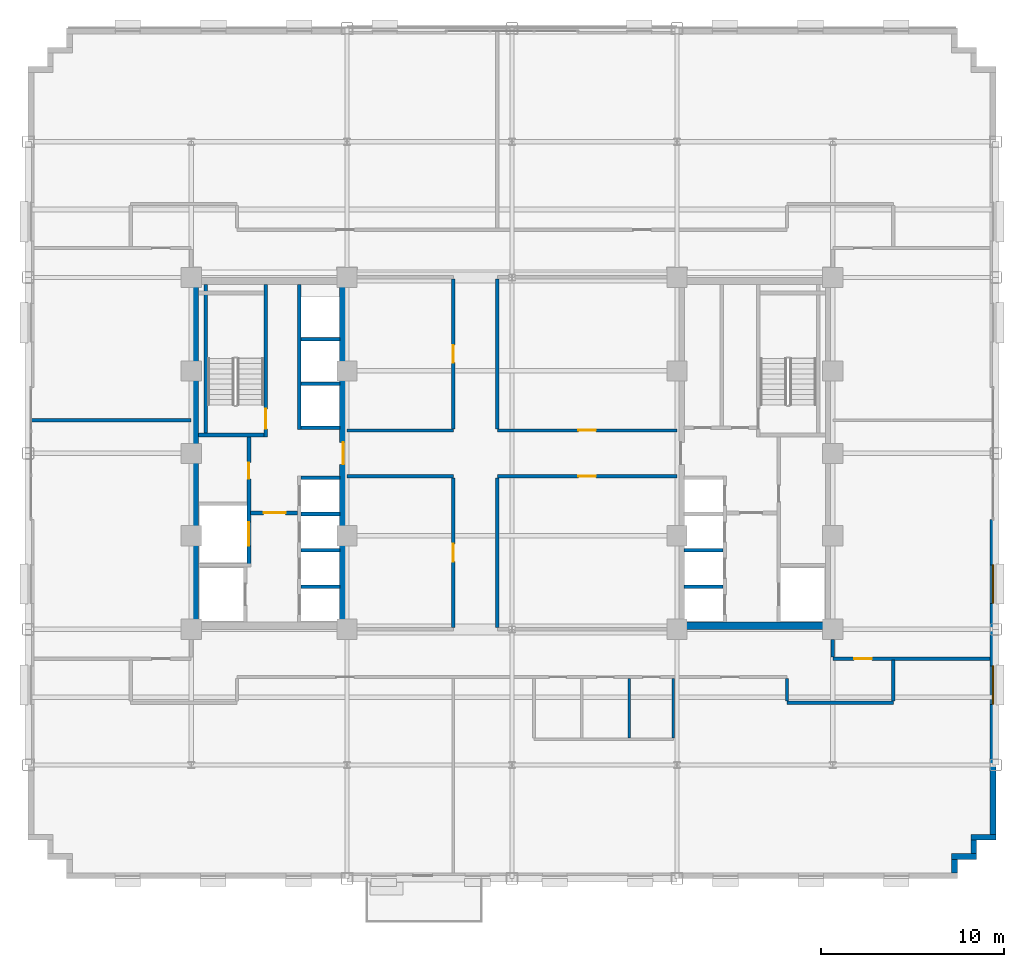
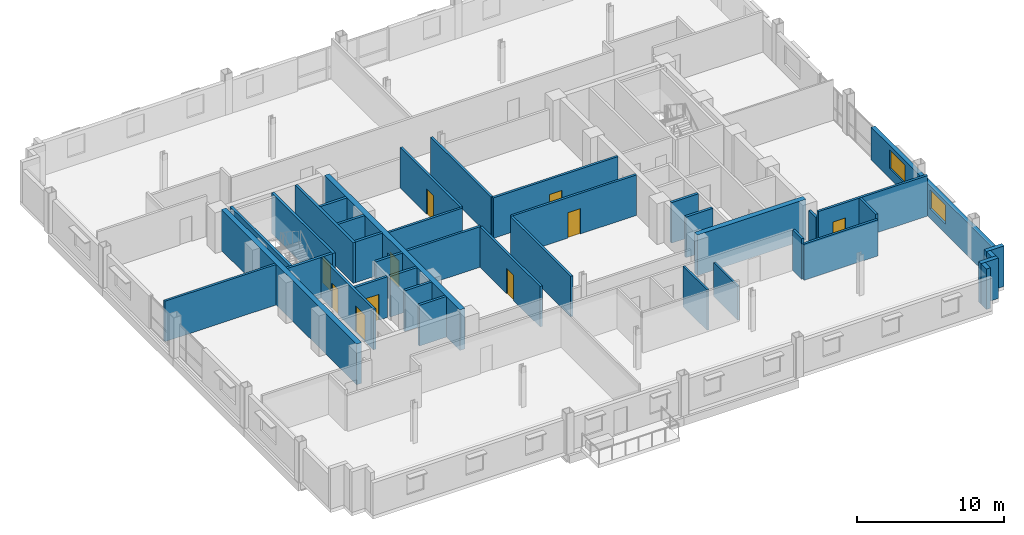
# One storey, part 7 of 17: 39 walls, 10 doors, 2 windows, 12 openings.
"""IFC4 building model written with IfcOpenShell, lengths in metres."""

from ifc_helpers import new_model, si_unit, direction, frame, frame_2d, origin, place, context, subcontext, project, spatial, rectangle, extrude, source, transform, mapped, material, layer, layer_set, type_object, type_shapes, element, fill, save


model = new_model("IFC4")

# Units and contexts
model_context = context("Model", 3, precision=1e-05, world=origin(), true_north=direction((0.0, 1.0)))
body_context = subcontext(model_context, "Body", "Model", "MODEL_VIEW")
ifc_project = project(units=[si_unit("LENGTHUNIT", "METRE"), si_unit("AREAUNIT", "SQUARE_METRE"), si_unit("VOLUMEUNIT", "CUBIC_METRE"), si_unit("PLANEANGLEUNIT", "RADIAN"), si_unit("MASSUNIT", "GRAM", prefix="KILO")], contexts=[model_context])

# Site, building, storey
site_placement = place(None, origin())
site = spatial("IfcSite", under=ifc_project, at=site_placement, CompositionType="ELEMENT")
building_placement = place(site_placement, origin())
building = spatial("IfcBuilding", under=site, at=building_placement, Name="Nuvemarco Arch Tower", CompositionType="ELEMENT")
storey_placement = place(building_placement, frame((0.0, 0.0, 120.199951171875)))
storey = spatial("IfcBuildingStorey", under=building, at=storey_placement, Name="L31", CompositionType="ELEMENT", Elevation=120.199951171875)

# Walls
ifc_material_1 = material(Name="Precast concrete C45/55", Category="concrete")
ifc_layer_1 = layer(ifc_material_1, 0.320068359375, Name="EW-MID-320")
ifc_layer_set_1 = layer_set([ifc_layer_1], Name="Precast concrete C45/55")
wall_type_1 = type_object("IfcWallType", Name="EW-MID-320", PredefinedType="STANDARD", material=ifc_layer_set_1)
wall_1_placement = place(storey_placement, frame((24.139892578125, -22.884033203125, 0.0), z_axis=(0.0, 0.0, 1.0), x_axis=(0.0, 1.0, 0.0)))
element("IfcWall", 1, at=wall_1_placement, inside=storey, type_object=wall_type_1, Name="L31 exterior precast facade wall 2", PredefinedType="STANDARD", context=body_context, shape_type="SweptSolid", body=[
    extrude(rectangle(XDim=0.738037109375, YDim=0.320068359375, at=frame_2d((0.369140625, 0.0))), origin(), (0.0, 0.0, 1.0), 3.360107421875),
])
wall_2_placement = place(storey_placement, frame((23.97998046875, -21.989990234375, 0.0), z_axis=(0.0, 0.0, 1.0), x_axis=(1.0, 0.0, 0.0)))
element("IfcWall", 2, at=wall_2_placement, inside=storey, type_object=wall_type_1, Name="L31 exterior precast facade wall 3", PredefinedType="STANDARD", context=body_context, shape_type="SweptSolid", body=[
    extrude(rectangle(XDim=1.3701171875, YDim=0.320068359375, at=frame_2d((0.68505859375, 0.0))), origin(), (0.0, 0.0, 1.0), 3.360107421875),
])
wall_3_placement = place(storey_placement, frame((25.18994140625, -21.833984375, 0.0), z_axis=(0.0, 0.0, 1.0), x_axis=(0.0, 1.0, 0.0)))
element("IfcWall", 3, at=wall_3_placement, inside=storey, type_object=wall_type_1, Name="L31 exterior precast facade wall 4", PredefinedType="STANDARD", context=body_context, shape_type="SweptSolid", body=[
    extrude(rectangle(XDim=0.738037109375, YDim=0.320068359375, at=frame_2d((0.369140625, 0.0))), origin(), (0.0, 0.0, 1.0), 3.360107421875),
])
wall_4_placement = place(storey_placement, frame((25.030029296875, -20.93994140625, 0.0), z_axis=(0.0, 0.0, 1.0), x_axis=(1.0, 0.0, 0.0)))
element("IfcWall", 4, at=wall_4_placement, inside=storey, type_object=wall_type_1, Name="L31 exterior precast facade wall 5", PredefinedType="STANDARD", context=body_context, shape_type="SweptSolid", body=[
    extrude(rectangle(XDim=1.369873046875, YDim=0.320068359375, at=frame_2d((0.68505859375, 0.0))), origin(), (0.0, 0.0, 1.0), 3.360107421875),
])

# Wall, openings, windows
wall_5_placement = place(storey_placement, frame((26.239990234375, -20.783935546875, 0.0), z_axis=(0.0, 0.0, 1.0), x_axis=(0.0, 1.0, 0.0)))
wall_5 = element("IfcWall", 5, at=wall_5_placement, inside=storey, type_object=wall_type_1, Name="L31 exterior precast pier wall east left", PredefinedType="STANDARD", context=body_context, shape_type="SweptSolid", body=[
    extrude(rectangle(XDim=17.183837890625, YDim=0.320068359375, at=frame_2d((8.591796875, 0.0))), origin(), (0.0, 0.0, 1.0), 2.705078125),
])
opening_1_placement = place(wall_5_placement, frame((7.092041015625, 0.0, 0.800048828125)))
opening_1 = element("IfcOpeningElement", 6, at=opening_1_placement, cuts=wall_5, Name="Opening WN-5", PredefinedType="OPENING", context=body_context, shape_type="SweptSolid", body=[
    extrude(rectangle(XDim=2.10009765625, YDim=1.56005859375, at=frame_2d((1.050048828125, 0.780029296875))), frame((0.0, 0.169921875, 0.0), z_axis=(0.0, -1.0, 0.0), x_axis=(1.0, 0.0, 0.0)), (0.0, 0.0, 1.0), 0.340087890625),
])
opening_2_placement = place(wall_5_placement, frame((12.603271484375, 0.0, 0.800048828125)))
opening_2 = element("IfcOpeningElement", 7, at=opening_2_placement, cuts=wall_5, Name="Opening WN-5", PredefinedType="OPENING", context=body_context, shape_type="SweptSolid", body=[
    extrude(rectangle(XDim=2.10009765625, YDim=1.56005859375, at=frame_2d((1.050048828125, 0.780029296875))), frame((0.0, 0.169921875, 0.0), z_axis=(0.0, -1.0, 0.0), x_axis=(1.0, 0.0, 0.0)), (0.0, 0.0, 1.0), 0.340087890625),
])
ifc_material_2 = material(Name="Insulated solar-control glass", Category="glass")
window_type = type_object("IfcWindowType", Name="WN-MID-2100x1560", PartitioningType="DOUBLE_PANEL_VERTICAL", PredefinedType="WINDOW", material=ifc_material_2)
shared_shape_1 = source(origin(), body_context, "Body", "SweptSolid", [
    extrude(rectangle(XDim=2.10009765625, YDim=1.56005859375, at=frame_2d((1.050048828125, 0.780029296875))), frame((0.0, 0.030029296875, 0.0), z_axis=(0.0, -1.0, 0.0), x_axis=(1.0, 0.0, 0.0)), (0.0, 0.0, 1.0), 0.06005859375),
])
type_shapes(window_type, [shared_shape_1])
window_1_placement = place(opening_1_placement, origin())
window_1 = element("IfcWindow", 8, at=window_1_placement, inside=storey, type_object=window_type, Name="L31 punched facade window 2", OverallHeight=1.56005859375, OverallWidth=2.10009765625, PartitioningType="SINGLE_PANEL", PredefinedType="WINDOW", context=body_context, shape_type="MappedRepresentation", body=[
    mapped(shared_shape_1, transform((0.0, 0.0, 0.0), scale=1.0)),
])
fill(opening_1, window_1)
window_2_placement = place(opening_2_placement, origin())
window_2 = element("IfcWindow", 9, at=window_2_placement, inside=storey, type_object=window_type, Name="L31 punched facade window 3", OverallHeight=1.56005859375, OverallWidth=2.10009765625, PartitioningType="SINGLE_PANEL", PredefinedType="WINDOW", context=body_context, shape_type="MappedRepresentation", body=[
    mapped(shared_shape_1, transform((0.0, 0.0, 0.0), scale=1.0)),
])
fill(opening_2, window_2)

# Wall
ifc_material_3 = material(Name="Concrete C60/75", Category="concrete")
ifc_layer_2 = layer(ifc_material_3, 0.39990234375, Name="WL-CORE-400")
ifc_layer_set_2 = layer_set([ifc_layer_2], Name="Concrete C60/75")
wall_type_2 = type_object("IfcWallType", Name="WL-CORE-400", PredefinedType="SHEAR", material=ifc_layer_set_2)
wall_6_placement = place(storey_placement, frame((-17.300048828125, -9.205078125, 0.0), z_axis=(0.0, 0.0, 1.0), x_axis=(0.0, 1.0, 0.0)))
element("IfcWall", 10, at=wall_6_placement, inside=storey, type_object=wall_type_2, Name="L31 W-core shear wall W", PredefinedType="SHEAR", context=body_context, shape_type="SweptSolid", body=[
    extrude(rectangle(XDim=18.41015625, YDim=0.39990234375, at=frame_2d((9.205078125, 0.0))), origin(), (0.0, 0.0, 1.0), 3.3701171875),
])

# Wall, opening, door
wall_7_placement = place(storey_placement, frame((-9.199951171875, -9.205078125, 0.0), z_axis=(0.0, 0.0, 1.0), x_axis=(0.0, 1.0, 0.0)))
wall_7 = element("IfcWall", 11, at=wall_7_placement, inside=storey, type_object=wall_type_2, Name="L31 W-core shear wall E", PredefinedType="SHEAR", context=body_context, shape_type="SweptSolid", body=[
    extrude(rectangle(XDim=18.41015625, YDim=0.39990234375, at=frame_2d((9.205078125, 0.0))), origin(), (0.0, 0.0, 1.0), 3.3701171875),
])
opening_3_placement = place(wall_7_placement, frame((8.60498046875, 0.0, 0.0)))
opening_3 = element("IfcOpeningElement", 12, at=opening_3_placement, cuts=wall_7, Name="Opening FD-2", PredefinedType="OPENING", context=body_context, shape_type="SweptSolid", body=[
    extrude(rectangle(XDim=1.199951171875, YDim=2.14990234375, at=frame_2d((0.60009765625, 1.074951171875))), frame((0.0, 0.2099609375, 0.0), z_axis=(0.0, -1.0, 0.0), x_axis=(1.0, 0.0, 0.0)), (0.0, 0.0, 1.0), 0.419921875),
])
ifc_material_4 = material(Name="Anodised steel fire door", Category="steel")
door_type_1 = type_object("IfcDoorType", Name="DR-FFLOB-FD", OperationType="NOTDEFINED", PredefinedType="DOOR", material=ifc_material_4)
shared_shape_2 = source(origin(), body_context, "Body", "SweptSolid", [
    extrude(rectangle(XDim=1.199951171875, YDim=2.14990234375, at=frame_2d((0.60009765625, 1.074951171875))), frame((0.0, 0.02490234375, 0.0), z_axis=(0.0, -1.0, 0.0), x_axis=(1.0, 0.0, 0.0)), (0.0, 0.0, 1.0), 0.050048828125),
])
type_shapes(door_type_1, [shared_shape_2])
door_1_placement = place(opening_3_placement, origin())
door_1 = element("IfcDoor", 13, at=door_1_placement, inside=storey, type_object=door_type_1, Name="L31 door FD-L31-WCORE-E", OperationType="SINGLE_SWING_LEFT", OverallHeight=2.14990234375, OverallWidth=1.199951171875, PredefinedType="DOOR", context=body_context, shape_type="MappedRepresentation", body=[
    mapped(shared_shape_2, transform((0.0, 0.0, 0.0), scale=1.0)),
])
fill(opening_3, door_1)

# Walls
wall_8_placement = place(storey_placement, frame((9.0, -9.39990234375, 0.0), z_axis=(0.0, 0.0, 1.0), x_axis=(1.0, 0.0, 0.0)))
element("IfcWall", 14, at=wall_8_placement, inside=storey, type_object=wall_type_2, Name="L31 E-core shear wall S", PredefinedType="SHEAR", context=body_context, shape_type="SweptSolid", body=[
    extrude(rectangle(XDim=8.5, YDim=0.39990234375, at=frame_2d((4.25, 0.0))), origin(), (0.0, 0.0, 1.0), 3.3701171875),
])
ifc_material_5 = material(Name="Fire-rated gypsum drywall partition")
ifc_layer_3 = layer(ifc_material_5, 0.179931640625, Name="WL-CORR-180")
ifc_layer_set_3 = layer_set([ifc_layer_3], Name="Fire-rated gypsum drywall partition")
wall_type_3 = type_object("IfcWallType", Name="WL-CORR-180", PredefinedType="PARTITIONING", material=ifc_layer_set_3)
wall_9_placement = place(storey_placement, frame((15.0, -13.60009765625, 0.0), z_axis=(0.0, 0.0, 1.0), x_axis=(1.0, 0.0, 0.0)))
element("IfcWall", 15, at=wall_9_placement, inside=storey, type_object=wall_type_3, Name="L31 interior wall IW-L31-003", PredefinedType="PARTITIONING", context=body_context, shape_type="SweptSolid", body=[
    extrude(rectangle(XDim=5.800048828125, YDim=0.179931640625, at=frame_2d((2.89990234375, 0.0))), origin(), (0.0, 0.0, 1.0), 2.998046875),
])

# Wall, opening, door
wall_10_placement = place(storey_placement, frame((17.5, -11.199951171875, 0.0), z_axis=(0.0, 0.0, 1.0), x_axis=(1.0, 0.0, 0.0)))
wall_10 = element("IfcWall", 16, at=wall_10_placement, inside=storey, type_object=wall_type_3, Name="L31 interior wall IW-L31-006", PredefinedType="PARTITIONING", context=body_context, shape_type="SweptSolid", body=[
    extrude(rectangle(XDim=8.580078125, YDim=0.179931640625, at=frame_2d((4.2900390625, 0.0))), origin(), (0.0, 0.0, 1.0), 3.360107421875),
])
opening_4_placement = place(wall_10_placement, frame((1.169921875, 0.0, 0.0)))
opening_4 = element("IfcOpeningElement", 17, at=opening_4_placement, cuts=wall_10, Name="Opening FD-5", PredefinedType="OPENING", context=body_context, shape_type="SweptSolid", body=[
    extrude(rectangle(XDim=0.9599609375, YDim=2.10009765625, at=frame_2d((0.47998046875, 1.050048828125))), frame((0.0, 0.099853515625, 0.0), z_axis=(0.0, -1.0, 0.0), x_axis=(1.0, 0.0, 0.0)), (0.0, 0.0, 1.0), 0.199951171875),
])
ifc_material_6 = material(Name="Timber fire door", Category="wood")
door_type_2 = type_object("IfcDoorType", Name="DR-CORR-FD", OperationType="NOTDEFINED", PredefinedType="DOOR", material=ifc_material_6)
shared_shape_3 = source(origin(), body_context, "Body", "SweptSolid", [
    extrude(rectangle(XDim=0.9599609375, YDim=2.10009765625, at=frame_2d((0.47998046875, 1.050048828125))), frame((0.0, 0.02490234375, 0.0), z_axis=(0.0, -1.0, 0.0), x_axis=(1.0, 0.0, 0.0)), (0.0, 0.0, 1.0), 0.050048828125),
])
type_shapes(door_type_2, [shared_shape_3])
door_2_placement = place(opening_4_placement, origin())
door_2 = element("IfcDoor", 18, at=door_2_placement, inside=storey, type_object=door_type_2, Name="L31 door DR-L31-E_1", OperationType="SINGLE_SWING_LEFT", OverallHeight=2.10009765625, OverallWidth=0.9599609375, PredefinedType="DOOR", context=body_context, shape_type="MappedRepresentation", body=[
    mapped(shared_shape_3, transform((0.0, 0.0, 0.0), scale=1.0)),
])
fill(opening_4, door_2)

# Wall
wall_11_placement = place(storey_placement, frame((-9.0, -1.25, 0.0), z_axis=(0.0, 0.0, 1.0), x_axis=(1.0, 0.0, 0.0)))
element("IfcWall", 19, at=wall_11_placement, inside=storey, type_object=wall_type_3, Name="L31 interior wall IW-L31-010", PredefinedType="PARTITIONING", context=body_context, shape_type="SweptSolid", body=[
    extrude(rectangle(XDim=5.800048828125, YDim=0.179931640625, at=frame_2d((2.89990234375, 0.0))), origin(), (0.0, 0.0, 1.0), 3.360107421875),
])

# Wall, opening, door
wall_12_placement = place(storey_placement, frame((-0.800048828125, -1.25, 0.0), z_axis=(0.0, 0.0, 1.0), x_axis=(1.0, 0.0, 0.0)))
wall_12 = element("IfcWall", 20, at=wall_12_placement, inside=storey, type_object=wall_type_3, Name="L31 interior wall IW-L31-011", PredefinedType="PARTITIONING", context=body_context, shape_type="SweptSolid", body=[
    extrude(rectangle(XDim=9.800048828125, YDim=0.179931640625, at=frame_2d((4.89990234375, 0.0))), origin(), (0.0, 0.0, 1.0), 3.360107421875),
])
opening_5_placement = place(wall_12_placement, frame((4.419921875, 0.0, 0.0)))
opening_5 = element("IfcOpeningElement", 21, at=opening_5_placement, cuts=wall_12, Name="Opening FD-5", PredefinedType="OPENING", context=body_context, shape_type="SweptSolid", body=[
    extrude(rectangle(XDim=0.9599609375, YDim=2.10009765625, at=frame_2d((0.47998046875, 1.050048828125))), frame((0.0, 0.099853515625, 0.0), z_axis=(0.0, -1.0, 0.0), x_axis=(1.0, 0.0, 0.0)), (0.0, 0.0, 1.0), 0.199951171875),
])
door_3_placement = place(opening_5_placement, origin())
door_3 = element("IfcDoor", 22, at=door_3_placement, inside=storey, type_object=door_type_2, Name="L31 door DR-L31-SKY_WORK", OperationType="SINGLE_SWING_LEFT", OverallHeight=2.10009765625, OverallWidth=0.9599609375, PredefinedType="DOOR", context=body_context, shape_type="MappedRepresentation", body=[
    mapped(shared_shape_3, transform((0.0, 0.0, 0.0), scale=1.0)),
])
fill(opening_5, door_3)

# Wall
wall_13_placement = place(storey_placement, frame((-9.0, 1.25, 0.0), z_axis=(0.0, 0.0, 1.0), x_axis=(1.0, 0.0, 0.0)))
element("IfcWall", 23, at=wall_13_placement, inside=storey, type_object=wall_type_3, Name="L31 interior wall IW-L31-012", PredefinedType="PARTITIONING", context=body_context, shape_type="SweptSolid", body=[
    extrude(rectangle(XDim=5.800048828125, YDim=0.179931640625, at=frame_2d((2.89990234375, 0.0))), origin(), (0.0, 0.0, 1.0), 3.360107421875),
])

# Wall, opening, door
wall_14_placement = place(storey_placement, frame((-0.800048828125, 1.25, 0.0), z_axis=(0.0, 0.0, 1.0), x_axis=(1.0, 0.0, 0.0)))
wall_14 = element("IfcWall", 24, at=wall_14_placement, inside=storey, type_object=wall_type_3, Name="L31 interior wall IW-L31-013", PredefinedType="PARTITIONING", context=body_context, shape_type="SweptSolid", body=[
    extrude(rectangle(XDim=9.800048828125, YDim=0.179931640625, at=frame_2d((4.89990234375, 0.0))), origin(), (0.0, 0.0, 1.0), 3.360107421875),
])
opening_6_placement = place(wall_14_placement, frame((4.419921875, 0.0, 0.0)))
opening_6 = element("IfcOpeningElement", 25, at=opening_6_placement, cuts=wall_14, Name="Opening FD-5", PredefinedType="OPENING", context=body_context, shape_type="SweptSolid", body=[
    extrude(rectangle(XDim=0.9599609375, YDim=2.10009765625, at=frame_2d((0.47998046875, 1.050048828125))), frame((0.0, 0.099853515625, 0.0), z_axis=(0.0, -1.0, 0.0), x_axis=(1.0, 0.0, 0.0)), (0.0, 0.0, 1.0), 0.199951171875),
])
door_4_placement = place(opening_6_placement, origin())
door_4 = element("IfcDoor", 26, at=door_4_placement, inside=storey, type_object=door_type_2, Name="L31 door DR-L31-SKY_OFF", OperationType="SINGLE_SWING_RIGHT", OverallHeight=2.10009765625, OverallWidth=0.9599609375, PredefinedType="DOOR", context=body_context, shape_type="MappedRepresentation", body=[
    mapped(shared_shape_3, transform((0.0, 0.0, 0.0), scale=1.0)),
])
fill(opening_6, door_4)

# Wall
wall_15_placement = place(storey_placement, frame((-26.22509765625, 1.800048828125, 0.0), z_axis=(0.0, 0.0, 1.0), x_axis=(1.0, 0.0, 0.0)))
element("IfcWall", 27, at=wall_15_placement, inside=storey, type_object=wall_type_3, Name="L31 interior wall IW-L31-014", PredefinedType="PARTITIONING", context=body_context, shape_type="SweptSolid", body=[
    extrude(rectangle(XDim=8.72509765625, YDim=0.179931640625, at=frame_2d((4.362548828125, 0.0))), origin(), (0.0, 0.0, 1.0), 3.360107421875),
])

# Wall, opening, door
wall_16_placement = place(storey_placement, frame((-3.199951171875, -9.513916015625, 0.0), z_axis=(0.0, 0.0, 1.0), x_axis=(0.0, 1.0, 0.0)))
wall_16 = element("IfcWall", 28, at=wall_16_placement, inside=storey, type_object=wall_type_3, Name="L31 interior wall IW-L31-031", PredefinedType="PARTITIONING", context=body_context, shape_type="SweptSolid", body=[
    extrude(rectangle(XDim=8.177978515625, YDim=0.179931640625, at=frame_2d((4.0888671875, 0.0))), origin(), (0.0, 0.0, 1.0), 3.360107421875),
])
opening_7_placement = place(wall_16_placement, frame((3.60888671875, 0.0, 0.0)))
opening_7 = element("IfcOpeningElement", 29, at=opening_7_placement, cuts=wall_16, Name="Opening FD-5", PredefinedType="OPENING", context=body_context, shape_type="SweptSolid", body=[
    extrude(rectangle(XDim=0.9599609375, YDim=2.10009765625, at=frame_2d((0.47998046875, 1.050048828125))), frame((0.0, 0.099853515625, 0.0), z_axis=(0.0, -1.0, 0.0), x_axis=(1.0, 0.0, 0.0)), (0.0, 0.0, 1.0), 0.199951171875),
])
door_5_placement = place(opening_7_placement, origin())
door_5 = element("IfcDoor", 30, at=door_5_placement, inside=storey, type_object=door_type_2, Name="L31 door DR-L31-SKY_MEET", OperationType="SINGLE_SWING_LEFT", OverallHeight=2.10009765625, OverallWidth=0.9599609375, PredefinedType="DOOR", context=body_context, shape_type="MappedRepresentation", body=[
    mapped(shared_shape_3, transform((0.0, 0.0, 0.0), scale=1.0)),
])
fill(opening_7, door_5)

wall_17_placement = place(storey_placement, frame((-3.199951171875, 1.3359375, 0.0), z_axis=(0.0, 0.0, 1.0), x_axis=(0.0, 1.0, 0.0)))
wall_17 = element("IfcWall", 31, at=wall_17_placement, inside=storey, type_object=wall_type_3, Name="L31 interior wall IW-L31-032", PredefinedType="PARTITIONING", context=body_context, shape_type="SweptSolid", body=[
    extrude(rectangle(XDim=8.177978515625, YDim=0.179931640625, at=frame_2d((4.0888671875, 0.0))), origin(), (0.0, 0.0, 1.0), 3.360107421875),
])
opening_8_placement = place(wall_17_placement, frame((3.60888671875, 0.0, 0.0)))
opening_8 = element("IfcOpeningElement", 32, at=opening_8_placement, cuts=wall_17, Name="Opening FD-5", PredefinedType="OPENING", context=body_context, shape_type="SweptSolid", body=[
    extrude(rectangle(XDim=0.9599609375, YDim=2.10009765625, at=frame_2d((0.47998046875, 1.050048828125))), frame((0.0, 0.099853515625, 0.0), z_axis=(0.0, -1.0, 0.0), x_axis=(1.0, 0.0, 0.0)), (0.0, 0.0, 1.0), 0.199951171875),
])
door_6_placement = place(opening_8_placement, origin())
door_6 = element("IfcDoor", 33, at=door_6_placement, inside=storey, type_object=door_type_2, Name="L31 door DR-L31-SKY_CAFE", OperationType="SINGLE_SWING_RIGHT", OverallHeight=2.10009765625, OverallWidth=0.9599609375, PredefinedType="DOOR", context=body_context, shape_type="MappedRepresentation", body=[
    mapped(shared_shape_3, transform((0.0, 0.0, 0.0), scale=1.0)),
])
fill(opening_8, door_6)

# Walls
for number, where, z_axis, x_axis, name in (
    (34, (-0.800048828125, -9.513916015625, 0.0), (0.0, 0.0, 1.0), (0.0, 1.0, 0.0), "L31 interior wall IW-L31-033"),
    (35, (-0.800048828125, 1.3359375, 0.0), (0.0, 0.0, 1.0), (0.0, 1.0, 0.0), "L31 interior wall IW-L31-034"),
):
    element("IfcWall", number, at=place(storey_placement, frame(where, z_axis=z_axis, x_axis=x_axis)), inside=storey, type_object=wall_type_3, Name=name, PredefinedType="PARTITIONING", context=body_context, shape_type="SweptSolid", body=[
        extrude(rectangle(XDim=8.177978515625, YDim=0.179931640625, at=frame_2d((4.0888671875, 0.0))), origin(), (0.0, 0.0, 1.0), 3.360107421875),
    ])
wall_18_placement = place(storey_placement, frame((15.0, -13.513916015625, 0.0), z_axis=(0.0, 0.0, 1.0), x_axis=(0.0, 1.0, 0.0)))
element("IfcWall", 36, at=wall_18_placement, inside=storey, type_object=wall_type_3, Name="L31 interior wall IW-L31-040", PredefinedType="PARTITIONING", context=body_context, shape_type="SweptSolid", body=[
    extrude(rectangle(XDim=1.22802734375, YDim=0.179931640625, at=frame_2d((0.614013671875, 0.0))), origin(), (0.0, 0.0, 1.0), 3.360107421875),
])
wall_19_placement = place(storey_placement, frame((17.5, -11.114013671875, 0.0), z_axis=(0.0, 0.0, 1.0), x_axis=(0.0, 1.0, 0.0)))
element("IfcWall", 37, at=wall_19_placement, inside=storey, type_object=wall_type_3, Name="L31 interior wall IW-L31-042", PredefinedType="PARTITIONING", context=body_context, shape_type="SweptSolid", body=[
    extrude(rectangle(XDim=0.968017578125, YDim=0.179931640625, at=frame_2d((0.48388671875, 0.0))), origin(), (0.0, 0.0, 1.0), 2.816162109375),
])
wall_20_placement = place(storey_placement, frame((20.800048828125, -13.513916015625, 0.0), z_axis=(0.0, 0.0, 1.0), x_axis=(0.0, 1.0, 0.0)))
element("IfcWall", 38, at=wall_20_placement, inside=storey, type_object=wall_type_3, Name="L31 interior wall IW-L31-044", PredefinedType="PARTITIONING", context=body_context, shape_type="SweptSolid", body=[
    extrude(rectangle(XDim=2.22802734375, YDim=0.179931640625, at=frame_2d((1.114013671875, 0.0))), origin(), (0.0, 0.0, 1.0), 3.360107421875),
])

# Wall, opening, door
ifc_material_7 = material(Name="Concrete C50/60", Category="concrete")
ifc_layer_4 = layer(ifc_material_7, 0.199951171875, Name="WL-SHAFT-220")
ifc_layer_set_4 = layer_set([ifc_layer_4], Name="Concrete C50/60")
wall_type_4 = type_object("IfcWallType", Name="WL-SHAFT-220", PredefinedType="SHEAR", material=ifc_layer_set_4)
wall_21_placement = place(storey_placement, frame((-13.43994140625, 0.89990234375, 0.0), z_axis=(0.0, 0.0, 1.0), x_axis=(0.0, 1.0, 0.0)))
wall_21 = element("IfcWall", 39, at=wall_21_placement, inside=storey, type_object=wall_type_4, Name="L31 structural shaft wall SW-L31-W-ST1E", PredefinedType="SHEAR", context=body_context, shape_type="SweptSolid", body=[
    extrude(rectangle(XDim=8.30517578125, YDim=0.199951171875, at=frame_2d((4.152587890625, 0.0))), origin(), (0.0, 0.0, 1.0), 3.3701171875),
])
opening_9_placement = place(wall_21_placement, frame((1.530029296875, 0.0, 0.0), z_axis=(0.0, 0.0, 1.0), x_axis=(-1.0, 0.0, 0.0)))
opening_9 = element("IfcOpeningElement", 40, at=opening_9_placement, cuts=wall_21, Name="Opening FD-1", PredefinedType="OPENING", context=body_context, shape_type="SweptSolid", body=[
    extrude(rectangle(XDim=1.10009765625, YDim=2.14990234375, at=frame_2d((0.550048828125, 1.074951171875))), frame((0.0, 0.10986328125, 0.0), z_axis=(0.0, -1.0, 0.0), x_axis=(1.0, 0.0, 0.0)), (0.0, 0.0, 1.0), 0.219970703125),
])
door_type_3 = type_object("IfcDoorType", Name="DR-STAIR-FD", OperationType="NOTDEFINED", PredefinedType="DOOR", material=ifc_material_4)
shared_shape_4 = source(origin(), body_context, "Body", "SweptSolid", [
    extrude(rectangle(XDim=1.10009765625, YDim=2.14990234375, at=frame_2d((0.550048828125, 1.074951171875))), frame((0.0, 0.02490234375, 0.0), z_axis=(0.0, -1.0, 0.0), x_axis=(1.0, 0.0, 0.0)), (0.0, 0.0, 1.0), 0.050048828125),
])
type_shapes(door_type_3, [shared_shape_4])
door_7_placement = place(opening_9_placement, origin())
door_7 = element("IfcDoor", 41, at=door_7_placement, inside=storey, type_object=door_type_3, Name="L31 door FD-L31-ST1", OperationType="SINGLE_SWING_LEFT", OverallHeight=2.14990234375, OverallWidth=1.10009765625, PredefinedType="DOOR", context=body_context, shape_type="MappedRepresentation", body=[
    mapped(shared_shape_4, transform((0.0, 0.0, 0.0), scale=1.0)),
])
fill(opening_9, door_7)

# Walls
wall_22_placement = place(storey_placement, frame((-17.10498046875, 1.0, 0.0), z_axis=(0.0, 0.0, 1.0), x_axis=(1.0, 0.0, 0.0)))
element("IfcWall", 42, at=wall_22_placement, inside=storey, type_object=wall_type_4, Name="L31 structural shaft wall SW-L31-W-ST1S", PredefinedType="SHEAR", context=body_context, shape_type="SweptSolid", body=[
    extrude(rectangle(XDim=3.570068359375, YDim=0.199951171875, at=frame_2d((1.78515625, 0.0))), origin(), (0.0, 0.0, 1.0), 3.3701171875),
])
wall_23_placement = place(storey_placement, frame((-16.699951171875, 1.094970703125, 0.0), z_axis=(0.0, 0.0, 1.0), x_axis=(0.0, 1.0, 0.0)))
element("IfcWall", 43, at=wall_23_placement, inside=storey, type_object=wall_type_4, Name="L31 structural shaft wall SW-L31-W-ST1W", PredefinedType="SHEAR", context=body_context, shape_type="SweptSolid", body=[
    extrude(rectangle(XDim=8.110107421875, YDim=0.199951171875, at=frame_2d((4.05517578125, 0.0))), origin(), (0.0, 0.0, 1.0), 3.3701171875),
])

# Wall, openings, doors
wall_24_placement = place(storey_placement, frame((-14.35009765625, -6.199951171875, 0.0), z_axis=(0.0, 0.0, 1.0), x_axis=(0.0, 1.0, 0.0)))
wall_24 = element("IfcWall", 44, at=wall_24_placement, inside=storey, type_object=wall_type_4, Name="L31 structural shaft wall SW-L31-W-SVE", PredefinedType="SHEAR", context=body_context, shape_type="SweptSolid", body=[
    extrude(rectangle(XDim=7.10498046875, YDim=0.199951171875, at=frame_2d((3.552490234375, 0.0))), origin(), (0.0, 0.0, 1.0), 3.3701171875),
])
opening_10_placement = place(wall_24_placement, frame((5.68994140625, 0.0, 0.0), z_axis=(0.0, 0.0, 1.0), x_axis=(-1.0, 0.0, 0.0)))
opening_10 = element("IfcOpeningElement", 45, at=opening_10_placement, cuts=wall_24, Name="Opening FD-4", PredefinedType="OPENING", context=body_context, shape_type="SweptSolid", body=[
    extrude(rectangle(XDim=0.8798828125, YDim=2.10009765625, at=frame_2d((0.43994140625, 1.050048828125))), frame((0.0, 0.10986328125, 0.0), z_axis=(0.0, -1.0, 0.0), x_axis=(1.0, 0.0, 0.0)), (0.0, 0.0, 1.0), 0.219970703125),
])
opening_11_placement = place(wall_24_placement, frame((1.14990234375, 0.0, 0.0)))
opening_11 = element("IfcOpeningElement", 46, at=opening_11_placement, cuts=wall_24, Name="Opening LD-3", PredefinedType="OPENING", context=body_context, shape_type="SweptSolid", body=[
    extrude(rectangle(XDim=1.300048828125, YDim=2.199951171875, at=frame_2d((0.64990234375, 1.10009765625))), frame((0.0, 0.10986328125, 0.0), z_axis=(0.0, -1.0, 0.0), x_axis=(1.0, 0.0, 0.0)), (0.0, 0.0, 1.0), 0.219970703125),
])
door_type_4 = type_object("IfcDoorType", Name="DR-RISER-FD", OperationType="NOTDEFINED", PredefinedType="DOOR", material=ifc_material_4)
shared_shape_5 = source(origin(), body_context, "Body", "SweptSolid", [
    extrude(rectangle(XDim=0.8798828125, YDim=2.10009765625, at=frame_2d((0.43994140625, 1.050048828125))), frame((0.0, 0.02490234375, 0.0), z_axis=(0.0, -1.0, 0.0), x_axis=(1.0, 0.0, 0.0)), (0.0, 0.0, 1.0), 0.050048828125),
])
type_shapes(door_type_4, [shared_shape_5])
door_8_placement = place(opening_10_placement, origin())
door_8 = element("IfcDoor", 47, at=door_8_placement, inside=storey, type_object=door_type_4, Name="L31 door FD-L31-WRIS", OperationType="SINGLE_SWING_LEFT", OverallHeight=2.10009765625, OverallWidth=0.8798828125, PredefinedType="DOOR", context=body_context, shape_type="MappedRepresentation", body=[
    mapped(shared_shape_5, transform((0.0, 0.0, 0.0), scale=1.0)),
])
fill(opening_10, door_8)
ifc_material_8 = material(Name="Stainless steel lift door", Category="steel")
door_type_5 = type_object("IfcDoorType", Name="DR-LIFT-SERV", OperationType="DOUBLE_DOOR_SLIDING", PredefinedType="DOOR", material=ifc_material_8)
shared_shape_6 = source(origin(), body_context, "Body", "SweptSolid", [
    extrude(rectangle(XDim=1.300048828125, YDim=2.199951171875, at=frame_2d((0.64990234375, 1.10009765625))), frame((0.0, 0.02490234375, 0.0), z_axis=(0.0, -1.0, 0.0), x_axis=(1.0, 0.0, 0.0)), (0.0, 0.0, 1.0), 0.050048828125),
])
type_shapes(door_type_5, [shared_shape_6])
door_9_placement = place(opening_11_placement, origin())
door_9 = element("IfcDoor", 48, at=door_9_placement, inside=storey, type_object=door_type_5, Name="L31 Lift landing sliding door SVL-1", OperationType="DOUBLE_DOOR_SLIDING", OverallHeight=2.199951171875, OverallWidth=1.300048828125, PredefinedType="DOOR", context=body_context, shape_type="MappedRepresentation", body=[
    mapped(shared_shape_6, transform((0.0, 0.0, 0.0), scale=1.0)),
])
fill(opening_11, door_9)

# Wall, opening, door
wall_25_placement = place(storey_placement, frame((-14.2548828125, -3.25, 0.0), z_axis=(0.0, 0.0, 1.0), x_axis=(1.0, 0.0, 0.0)))
wall_25 = element("IfcWall", 49, at=wall_25_placement, inside=storey, type_object=wall_type_4, Name="L31 structural shaft wall SW-L31-W-FFN", PredefinedType="SHEAR", context=body_context, shape_type="SweptSolid", body=[
    extrude(rectangle(XDim=2.559814453125, YDim=0.199951171875, at=frame_2d((1.27978515625, 0.0))), origin(), (0.0, 0.0, 1.0), 3.3701171875),
])
opening_12_placement = place(wall_25_placement, frame((0.705078125, 0.0, 0.0)))
opening_12 = element("IfcOpeningElement", 50, at=opening_12_placement, cuts=wall_25, Name="Opening FD-2", PredefinedType="OPENING", context=body_context, shape_type="SweptSolid", body=[
    extrude(rectangle(XDim=1.199951171875, YDim=2.14990234375, at=frame_2d((0.60009765625, 1.074951171875))), frame((0.0, 0.10986328125, 0.0), z_axis=(0.0, -1.0, 0.0), x_axis=(1.0, 0.0, 0.0)), (0.0, 0.0, 1.0), 0.219970703125),
])
door_10_placement = place(opening_12_placement, origin())
door_10 = element("IfcDoor", 51, at=door_10_placement, inside=storey, type_object=door_type_1, Name="L31 door FD-L31-WFF1", OperationType="SINGLE_SWING_LEFT", OverallHeight=2.14990234375, OverallWidth=1.199951171875, PredefinedType="DOOR", context=body_context, shape_type="MappedRepresentation", body=[
    mapped(shared_shape_2, transform((0.0, 0.0, 0.0), scale=1.0)),
])
fill(opening_12, door_10)

# Walls
for number, where, z_axis, x_axis, name in (
    (52, (-11.5048828125, -7.27001953125, 0.0), (0.0, 0.0, 1.0), (1.0, 0.0, 0.0), "L31 structural shaft wall SW-L31-W-PLD1"),
    (53, (-11.5048828125, -5.2900390625, 0.0), (0.0, 0.0, 1.0), (1.0, 0.0, 0.0), "L31 structural shaft wall SW-L31-W-PLD2"),
    (54, (-11.5048828125, -3.31005859375, 0.0), (0.0, 0.0, 1.0), (1.0, 0.0, 0.0), "L31 structural shaft wall SW-L31-W-PLD3"),
    (55, (-11.5048828125, -1.330078125, 0.0), (0.0, 0.0, 1.0), (1.0, 0.0, 0.0), "L31 structural shaft wall SW-L31-W-PLD4"),
):
    element("IfcWall", number, at=place(storey_placement, frame(where, z_axis=z_axis, x_axis=x_axis)), inside=storey, type_object=wall_type_4, Name=name, PredefinedType="SHEAR", context=body_context, shape_type="SweptSolid", body=[
        extrude(rectangle(XDim=2.10986328125, YDim=0.199951171875, at=frame_2d((1.054931640625, 0.0))), origin(), (0.0, 0.0, 1.0), 3.3701171875),
    ])
wall_26_placement = place(storey_placement, frame((-11.60009765625, 1.300048828125, 0.0), z_axis=(0.0, 0.0, 1.0), x_axis=(0.0, 1.0, 0.0)))
element("IfcWall", 56, at=wall_26_placement, inside=storey, type_object=wall_type_4, Name="L31 structural shaft wall SW-L31-W-PHW", PredefinedType="SHEAR", context=body_context, shape_type="SweptSolid", body=[
    extrude(rectangle(XDim=7.905029296875, YDim=0.199951171875, at=frame_2d((3.95263671875, 0.0))), origin(), (0.0, 0.0, 1.0), 3.3701171875),
])
for number, where, z_axis, x_axis, name in (
    (57, (-11.5048828125, 1.39990234375, 0.0), (0.0, 0.0, 1.0), (1.0, 0.0, 0.0), "L31 structural shaft wall SW-L31-W-PHD1"),
    (58, (-11.5048828125, 3.800048828125, 0.0), (0.0, 0.0, 1.0), (1.0, 0.0, 0.0), "L31 structural shaft wall SW-L31-W-PHD2"),
    (59, (-11.5048828125, 6.219970703125, 0.0), (0.0, 0.0, 1.0), (1.0, 0.0, 0.0), "L31 structural shaft wall SW-L31-W-PHD3"),
    (60, (9.39501953125, -7.27001953125, 0.0), (0.0, 0.0, 1.0), (1.0, 0.0, 0.0), "L31 structural shaft wall SW-L31-E-PMD1"),
    (61, (9.39501953125, -5.2900390625, 0.0), (0.0, 0.0, 1.0), (1.0, 0.0, 0.0), "L31 structural shaft wall SW-L31-E-PMD2"),
):
    element("IfcWall", number, at=place(storey_placement, frame(where, z_axis=z_axis, x_axis=x_axis)), inside=storey, type_object=wall_type_4, Name=name, PredefinedType="SHEAR", context=body_context, shape_type="SweptSolid", body=[
        extrude(rectangle(XDim=2.10986328125, YDim=0.199951171875, at=frame_2d((1.054931640625, 0.0))), origin(), (0.0, 0.0, 1.0), 3.3701171875),
    ])
ifc_material_9 = material(Name="Moisture-resistant gypsum partition")
ifc_layer_5 = layer(ifc_material_9, 0.14990234375, Name="WL-WET-150")
ifc_layer_set_5 = layer_set([ifc_layer_5], Name="Moisture-resistant gypsum partition")
wall_type_5 = type_object("IfcWallType", Name="WL-WET-150", PredefinedType="PARTITIONING", material=ifc_layer_set_5)
wall_27_placement = place(storey_placement, frame((6.39990234375, -15.529052734375, 0.0), z_axis=(0.0, 0.0, 1.0), x_axis=(0.0, 1.0, 0.0)))
element("IfcWall", 62, at=wall_27_placement, inside=storey, type_object=wall_type_5, Name="L31 interior wall IW-L31-038", PredefinedType="PARTITIONING", context=body_context, shape_type="SweptSolid", body=[
    extrude(rectangle(XDim=3.2431640625, YDim=0.14990234375, at=frame_2d((1.62158203125, 0.0))), origin(), (0.0, 0.0, 1.0), 3.360107421875),
])
wall_28_placement = place(storey_placement, frame((8.800048828125, -15.529052734375, 0.0), z_axis=(0.0, 0.0, 1.0), x_axis=(0.0, 1.0, 0.0)))
element("IfcWall", 63, at=wall_28_placement, inside=storey, type_object=wall_type_5, Name="L31 interior wall IW-L31-039", PredefinedType="PARTITIONING", context=body_context, shape_type="SweptSolid", body=[
    extrude(rectangle(XDim=3.2431640625, YDim=0.14990234375, at=frame_2d((1.62158203125, 0.0))), origin(), (0.0, 0.0, 1.0), 2.816162109375),
])

save(model, "model.ifc")
